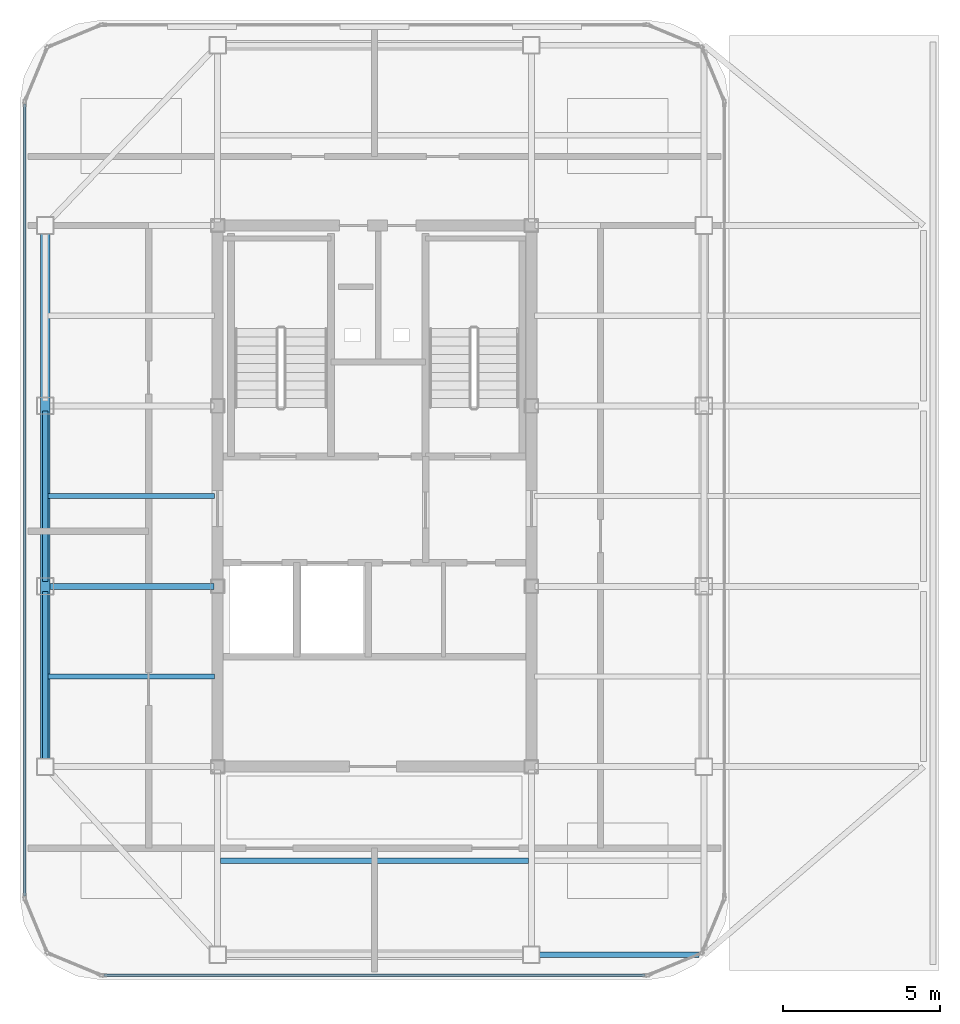
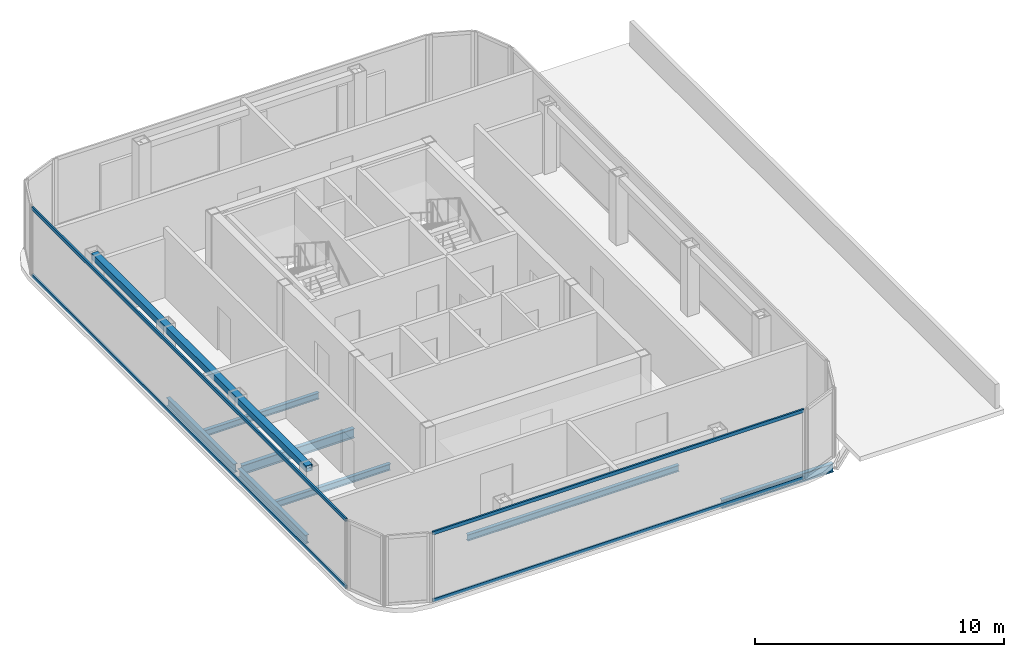
# One storey, part 3 of 11: 7 beams, 5 members, 2 elements without a shape of their own.
"""IFC4 building model written with IfcOpenShell, lengths in metres."""

from ifc_helpers import new_model, si_unit, direction, frame, origin, origin_2d, place, context, subcontext, project, spatial, hollow_rectangle, i_section, extrude, source, transform, mapped, material, layer, layer_set, material_profile, profile_set, type_object, element, aggregate, save


model = new_model("IFC4")

# Units and contexts
model_context = context("Model", 3, precision=1e-05, world=origin(), true_north=direction((0.0, 1.0)))
body_context = subcontext(model_context, "Body", "Model", "MODEL_VIEW")
ifc_project = project(units=[si_unit("LENGTHUNIT", "METRE"), si_unit("AREAUNIT", "SQUARE_METRE"), si_unit("VOLUMEUNIT", "CUBIC_METRE"), si_unit("PLANEANGLEUNIT", "RADIAN"), si_unit("MASSUNIT", "GRAM", prefix="KILO")], contexts=[model_context])

# Site, building, storey
site_placement = place(None, origin())
site = spatial("IfcSite", under=ifc_project, at=site_placement, CompositionType="ELEMENT")
building_placement = place(site_placement, origin())
building = spatial("IfcBuilding", under=site, at=building_placement, Name="Kolveth Station Tower", CompositionType="ELEMENT")
storey_placement = place(building_placement, frame((0.0, 0.0, 285.699951171875)))
storey = spatial("IfcBuildingStorey", under=building, at=storey_placement, Name="L82", CompositionType="ELEMENT", Elevation=285.699951171875)

# Beams
ifc_material_1 = material(Name="Steel S355", Category="steel")
ifc_material_profile_1 = material_profile(ifc_material_1, i_section(OverallWidth=0.180908203125, OverallDepth=0.4169921875, WebThickness=0.010986328125, FlangeThickness=0.018310546875, at=origin_2d()), Name="W410x85")
ifc_profile_set_1 = profile_set([ifc_material_profile_1], Name="Steel S355")
beam_type_1 = type_object("IfcBeamType", Name="Beam_B8", PredefinedType="BEAM", material=ifc_profile_set_1)
shared_shape_1 = source(origin(), body_context, "Body", "SweptSolid", [
    extrude(i_section(OverallWidth=0.180908203125, OverallDepth=0.4169921875, WebThickness=0.010986328125, FlangeThickness=0.018310546875, at=origin_2d()), origin(), (0.0, 0.0, 1.0), 5.18017578125),
])
beam_1_placement = place(storey_placement, frame((28.659912109375, 5.5, -0.428466796875), z_axis=(1.0, 0.0, 0.0), x_axis=(0.0, 1.0, 0.0)))
element("IfcBeam", 1, at=beam_1_placement, inside=storey, type_object=beam_type_1, Name="L82 Perimeter Spandrel BM-L82-PS-2", PredefinedType="BEAM", context=body_context, shape_type="MappedRepresentation", body=[
    mapped(shared_shape_1, transform((0.0, 0.0, 0.0), x_axis=(1.0, 0.0, 0.0), y_axis=(0.0, 1.0, 0.0), z_axis=(0.0, 0.0, 1.0), scale=1.0)),
])
shared_shape_2 = source(origin(), body_context, "Body", "SweptSolid", [
    extrude(i_section(OverallWidth=0.180908203125, OverallDepth=0.4169921875, WebThickness=0.010986328125, FlangeThickness=0.018310546875, at=origin_2d()), origin(), (0.0, 0.0, 1.0), 5.43017578125),
])
for number, where, z_axis, x_axis, name in (
    (2, (13.0, 11.659912109375, -0.428466796875), (0.0, 1.0, 0.0), (-1.0, 0.0, 0.0), "L82 Perimeter Spandrel BM-L82-PW-1"),
    (3, (13.0, 17.409912109375, -0.428466796875), (0.0, 1.0, 0.0), (-1.0, 0.0, 0.0), "L82 Perimeter Spandrel BM-L82-PW-2"),
):
    element("IfcBeam", number, at=place(storey_placement, frame(where, z_axis=z_axis, x_axis=x_axis)), inside=storey, type_object=beam_type_1, Name=name, PredefinedType="BEAM", context=body_context, shape_type="MappedRepresentation", body=[
        mapped(shared_shape_2, transform((0.0, 0.0, 0.0), x_axis=(1.0, 0.0, 0.0), y_axis=(0.0, 1.0, 0.0), z_axis=(0.0, 0.0, 1.0), scale=1.0)),
    ])
ifc_material_profile_2 = material_profile(ifc_material_1, i_section(OverallWidth=0.19091796875, OverallDepth=0.4599609375, WebThickness=0.010009765625, FlangeThickness=0.01611328125, at=origin_2d()), Name="W460x82")
ifc_profile_set_2 = profile_set([ifc_material_profile_2], Name="Steel S355")
beam_type_2 = type_object("IfcBeamType", Name="Beam_B7", PredefinedType="BEAM", material=ifc_profile_set_2)
shared_shape_3 = source(origin(), body_context, "Body", "SweptSolid", [
    extrude(i_section(OverallWidth=0.19091796875, OverallDepth=0.4599609375, WebThickness=0.010009765625, FlangeThickness=0.01611328125, at=origin_2d()), origin(), (0.0, 0.0, 1.0), 5.22998046875),
])
beam_2_placement = place(storey_placement, frame((13.159912109375, 17.25, -0.449951171875), z_axis=(1.0, 0.0, 0.0), x_axis=(0.0, 1.0, 0.0)))
element("IfcBeam", 4, at=beam_2_placement, inside=storey, type_object=beam_type_2, Name="L82 Primary Girder BM-L82-GY172-1", PredefinedType="BEAM", context=body_context, shape_type="MappedRepresentation", body=[
    mapped(shared_shape_3, transform((0.0, 0.0, 0.0), x_axis=(1.0, 0.0, 0.0), y_axis=(0.0, 1.0, 0.0), z_axis=(0.0, 0.0, 1.0), scale=1.0)),
])
ifc_material_profile_3 = material_profile(ifc_material_1, i_section(OverallWidth=0.1650390625, OverallDepth=0.31005859375, WebThickness=0.005859375, FlangeThickness=0.009765625, at=origin_2d()), Name="W310x39")
ifc_profile_set_3 = profile_set([ifc_material_profile_3], Name="Steel S355")
beam_type_3 = type_object("IfcBeamType", Name="Beam_J3", PredefinedType="JOIST", material=ifc_profile_set_3)
shared_shape_4 = source(origin(), body_context, "Body", "SweptSolid", [
    extrude(i_section(OverallWidth=0.1650390625, OverallDepth=0.31005859375, WebThickness=0.005859375, FlangeThickness=0.009765625, at=origin_2d()), origin(), (0.0, 0.0, 1.0), 9.81298828125),
])
beam_3_placement = place(storey_placement, frame((18.593505859375, 8.5, -0.375), z_axis=(1.0, 0.0, 0.0), x_axis=(0.0, 1.0, 0.0)))
element("IfcBeam", 5, at=beam_3_placement, inside=storey, type_object=beam_type_3, Name="L82 Secondary Joist JST-L82-2-1", PredefinedType="JOIST", context=body_context, shape_type="MappedRepresentation", body=[
    mapped(shared_shape_4, transform((0.0, 0.0, 0.0), x_axis=(1.0, 0.0, 0.0), y_axis=(0.0, 1.0, 0.0), z_axis=(0.0, 0.0, 1.0), scale=1.0)),
])
shared_shape_5 = source(origin(), body_context, "Body", "SweptSolid", [
    extrude(i_section(OverallWidth=0.1650390625, OverallDepth=0.31005859375, WebThickness=0.005859375, FlangeThickness=0.009765625, at=origin_2d()), origin(), (0.0, 0.0, 1.0), 5.318115234375),
])
for number, where, z_axis, x_axis, name in (
    (6, (13.08837890625, 14.375, -0.375), (1.0, 0.0, 0.0), (0.0, 1.0, 0.0), "L82 Secondary Joist JST-L82-1-2"),
    (7, (13.08837890625, 20.125, -0.375), (1.0, 0.0, 0.0), (0.0, 1.0, 0.0), "L82 Secondary Joist JST-L82-1-3"),
):
    element("IfcBeam", number, at=place(storey_placement, frame(where, z_axis=z_axis, x_axis=x_axis)), inside=storey, type_object=beam_type_3, Name=name, PredefinedType="JOIST", context=body_context, shape_type="MappedRepresentation", body=[
        mapped(shared_shape_5, transform((0.0, 0.0, 0.0), x_axis=(1.0, 0.0, 0.0), y_axis=(0.0, 1.0, 0.0), z_axis=(0.0, 0.0, 1.0), scale=1.0)),
    ])

# Member
ifc_material_profile_4 = material_profile(ifc_material_1, hollow_rectangle(XDim=0.300048828125, YDim=0.300048828125, WallThickness=0.01611328125, at=origin_2d()), Name="CROWN-HSS300x300x16")
ifc_profile_set_4 = profile_set([ifc_material_profile_4], Name="Steel S355")
member_type_1 = type_object("IfcMemberType", Name="Mem_CF1", PredefinedType="CHORD", material=ifc_profile_set_4)
shared_shape_6 = source(origin(), body_context, "Body", "SweptSolid", [
    extrude(hollow_rectangle(XDim=0.300048828125, YDim=0.300048828125, WallThickness=0.01611328125, at=origin_2d()), origin(), (0.0, 0.0, 1.0), 17.25),
])
member_1_placement = place(storey_placement, frame((13.0, 11.5, 3.150146484375), z_axis=(0.0, 1.0, 0.0), x_axis=(-1.0, 0.0, 0.0)))
element("IfcMember", 8, at=member_1_placement, inside=storey, type_object=member_type_1, Name="L82 Crown Frame Ring Chord 3", PredefinedType="CHORD", context=body_context, shape_type="MappedRepresentation", body=[
    mapped(shared_shape_6, transform((0.0, 0.0, 0.0), x_axis=(1.0, 0.0, 0.0), y_axis=(0.0, 1.0, 0.0), z_axis=(0.0, 0.0, 1.0), scale=1.0)),
])

# Curtain wall, members
ifc_material_2 = material(Name="Black anodized aluminium 6063-T6 and dark crown glass", Category="aluminium")
ifc_layer = layer(ifc_material_2, 0.169921875)
ifc_layer_set = layer_set([ifc_layer], Name="Black anodized aluminium 6063-T6 and dark crown glass")
curtain_wall_type = type_object("IfcCurtainWallType", Name="CurtainWall_CW-CR", PredefinedType="NOTDEFINED", material=ifc_layer_set)
curtain_wall_1_placement = place(storey_placement, origin())
curtain_wall_1 = element("IfcCurtainWall", 9, at=curtain_wall_1_placement, inside=storey, type_object=curtain_wall_type, Name="L82 Stepped Crown Curtain Wall 9", PredefinedType="NOTDEFINED")
ifc_material_3 = material(Name="Black anodized aluminium 6063-T6", Category="aluminium")
ifc_material_profile_5 = material_profile(ifc_material_3, hollow_rectangle(XDim=0.080078125, YDim=0.1650390625, WallThickness=0.0048828125, at=origin_2d()), Name="ALU-80x165x5")
ifc_profile_set_5 = profile_set([ifc_material_profile_5], Name="Black anodized aluminium 6063-T6")
member_type_2 = type_object("IfcMemberType", Name="Transom_TR-CR", PredefinedType="USERDEFINED", material=ifc_profile_set_5)
shared_shape_7 = source(origin(), body_context, "Body", "SweptSolid", [
    extrude(hollow_rectangle(XDim=0.080078125, YDim=0.1650390625, WallThickness=0.0048828125, at=origin_2d()), origin(), (0.0, 0.0, 1.0), 25.22998046875),
])
member_2_placement = place(storey_placement, frame((12.35009765625, 32.614990234375, 0.0400390625), z_axis=(0.0, -1.0, 0.0), x_axis=(1.0, 0.0, 0.0)))
member_2 = element("IfcMember", 10, at=member_2_placement, type_object=member_type_2, Name="CW-CR transom 1.1", ObjectType="TRANSOM", PredefinedType="USERDEFINED", context=body_context, shape_type="MappedRepresentation", body=[
    mapped(shared_shape_7, transform((0.0, 0.0, 0.0), x_axis=(1.0, 0.0, 0.0), y_axis=(0.0, 1.0, 0.0), z_axis=(0.0, 0.0, 1.0), scale=1.0)),
])
member_3_placement = place(storey_placement, frame((12.35009765625, 32.614990234375, 3.340087890625), z_axis=(0.0, -1.0, 0.0), x_axis=(1.0, 0.0, 0.0)))
member_3 = element("IfcMember", 11, at=member_3_placement, type_object=member_type_2, Name="CW-CR transom 1.2", ObjectType="TRANSOM", PredefinedType="USERDEFINED", context=body_context, shape_type="MappedRepresentation", body=[
    mapped(shared_shape_7, transform((0.0, 0.0, 0.0), x_axis=(1.0, 0.0, 0.0), y_axis=(0.0, 1.0, 0.0), z_axis=(0.0, 0.0, 1.0), scale=1.0)),
])
aggregate(curtain_wall_1, [member_2, member_3])

curtain_wall_2_placement = place(storey_placement, origin())
curtain_wall_2 = element("IfcCurtainWall", 12, at=curtain_wall_2_placement, inside=storey, type_object=curtain_wall_type, Name="L82 Stepped Crown Curtain Wall 12", PredefinedType="NOTDEFINED")
shared_shape_8 = source(origin(), body_context, "Body", "SweptSolid", [
    extrude(hollow_rectangle(XDim=0.080078125, YDim=0.1650390625, WallThickness=0.0048828125, at=origin_2d()), origin(), (0.0, 0.0, 1.0), 17.22998046875),
])
member_4_placement = place(storey_placement, frame((14.885009765625, 4.85009765625, 0.0400390625), z_axis=(1.0, 0.0, 0.0), x_axis=(0.0, 1.0, 0.0)))
member_4 = element("IfcMember", 13, at=member_4_placement, type_object=member_type_2, Name="CW-CR transom 1.1", ObjectType="TRANSOM", PredefinedType="USERDEFINED", context=body_context, shape_type="MappedRepresentation", body=[
    mapped(shared_shape_8, transform((0.0, 0.0, 0.0), x_axis=(1.0, 0.0, 0.0), y_axis=(0.0, 1.0, 0.0), z_axis=(0.0, 0.0, 1.0), scale=1.0)),
])
member_5_placement = place(storey_placement, frame((14.885009765625, 4.85009765625, 3.340087890625), z_axis=(1.0, 0.0, 0.0), x_axis=(0.0, 1.0, 0.0)))
member_5 = element("IfcMember", 14, at=member_5_placement, type_object=member_type_2, Name="CW-CR transom 1.2", ObjectType="TRANSOM", PredefinedType="USERDEFINED", context=body_context, shape_type="MappedRepresentation", body=[
    mapped(shared_shape_8, transform((0.0, 0.0, 0.0), x_axis=(1.0, 0.0, 0.0), y_axis=(0.0, 1.0, 0.0), z_axis=(0.0, 0.0, 1.0), scale=1.0)),
])
aggregate(curtain_wall_2, [member_4, member_5])

save(model, "model.ifc")
